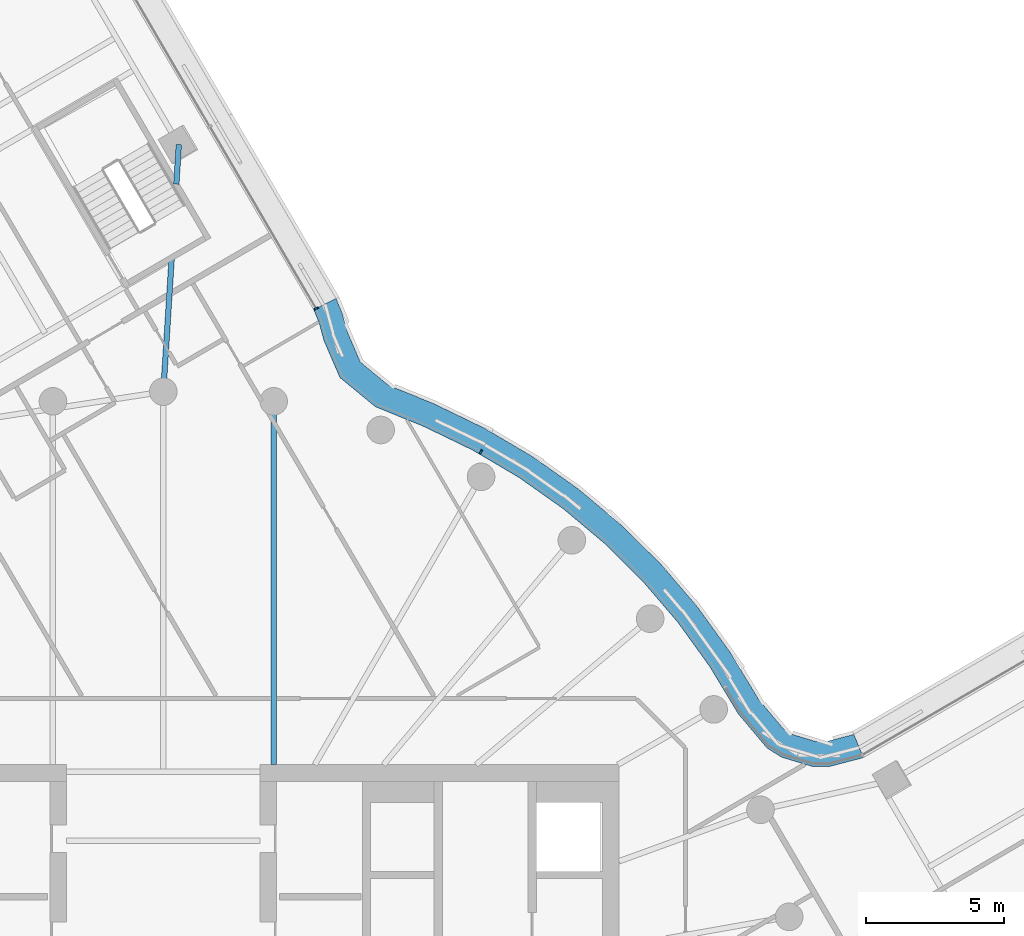
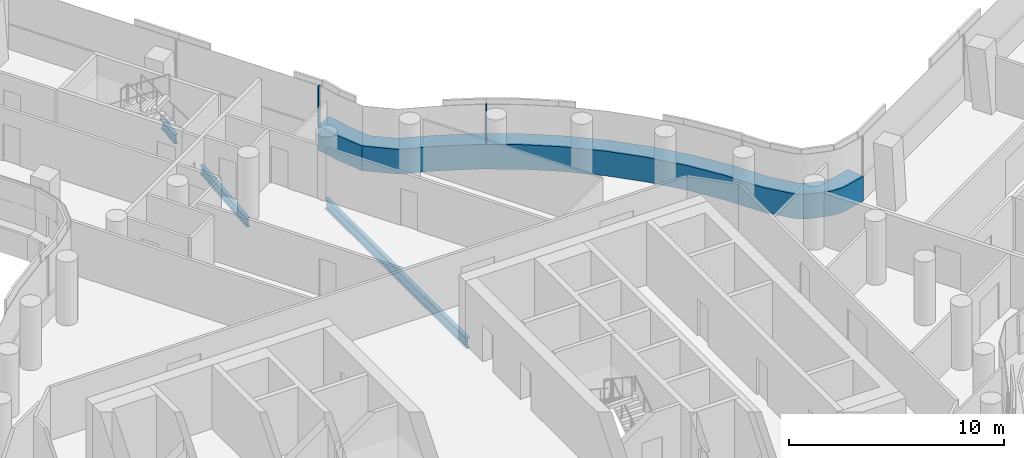
# One storey, part 15 of 35: 3 beams, 3 members, 2 elements without a shape of their own.
"""IFC4 building model written with IfcOpenShell, lengths in metres."""

from ifc_helpers import new_model, si_unit, direction, frame, origin, origin_2d, place, context, subcontext, project, spatial, polyline, rectangle, i_section, outline, extrude, material, layer, layer_set, material_profile, profile_set, type_object, element, aggregate, save


model = new_model("IFC4")

# Units and contexts
model_context = context("Model", 3, precision=1e-05, world=origin(), true_north=direction((0.0, 1.0)))
body_context = subcontext(model_context, "Body", "Model", "MODEL_VIEW")
ifc_project = project(units=[si_unit("LENGTHUNIT", "METRE"), si_unit("AREAUNIT", "SQUARE_METRE"), si_unit("VOLUMEUNIT", "CUBIC_METRE"), si_unit("PLANEANGLEUNIT", "RADIAN"), si_unit("MASSUNIT", "GRAM", prefix="KILO")], contexts=[model_context])

# Site, building, storey
site_placement = place(None, origin())
site = spatial("IfcSite", under=ifc_project, at=site_placement, CompositionType="ELEMENT")
building_placement = place(site_placement, origin())
building = spatial("IfcBuilding", under=site, at=building_placement, Name="Tamarind Cross Interchange Tower", CompositionType="ELEMENT")
storey_placement = place(building_placement, frame((0.0, 0.0, 144.25)))
storey = spatial("IfcBuildingStorey", under=building, at=storey_placement, Name="L35", CompositionType="ELEMENT", Elevation=144.25)

# Beams
ifc_material_1 = material(Name="Steel Q355B", Category="steel")
ifc_material_profile_1 = material_profile(ifc_material_1, i_section(OverallWidth=0.198974609375, OverallDepth=0.49609375, WebThickness=0.009033203125, FlangeThickness=0.013916015625, FilletRadius=0.012939453125, at=origin_2d()), Name="HN 496x199x9x14")
ifc_profile_set_1 = profile_set([ifc_material_profile_1], Name="Steel Q355B")
beam_type_1 = type_object("IfcBeamType", Name="Composite beam HN 496x199x9x14 Q355B", PredefinedType="BEAM", material=ifc_profile_set_1)
beam_1_placement = place(storey_placement, frame((0.561279296875, 31.941162109375, -0.387939453125), z_axis=(-0.062621949469, -0.998037319665, 0.0), x_axis=(0.998037319665, -0.062621949469, 0.0)))
element("IfcBeam", 1, at=beam_1_placement, inside=storey, type_object=beam_type_1, Name="Beam N-linkemt0", PredefinedType="BEAM", context=body_context, shape_type="SweptSolid", body=[
    extrude(i_section(OverallWidth=0.198974609375, OverallDepth=0.49609375, WebThickness=0.009033203125, FlangeThickness=0.013916015625, FilletRadius=0.012939453125, at=origin_2d()), origin(), (0.0, 0.0, 1.0), 1.434814453125),
])
beam_2_placement = place(storey_placement, frame((0.3046875, 27.853271484375, -0.387939453125), z_axis=(-0.062656465185, -0.998035153374, 0.0), x_axis=(0.998035153374, -0.062656465185, 0.0)))
element("IfcBeam", 2, at=beam_2_placement, inside=storey, type_object=beam_type_1, Name="Beam N-linkemt1", PredefinedType="BEAM", context=body_context, shape_type="SweptSolid", body=[
    extrude(i_section(OverallWidth=0.198974609375, OverallDepth=0.49609375, WebThickness=0.009033203125, FlangeThickness=0.013916015625, FilletRadius=0.012939453125, at=origin_2d()), origin(), (0.0, 0.0, 1.0), 4.86279296875),
])
ifc_material_profile_2 = material_profile(ifc_material_1, i_section(OverallWidth=0.198974609375, OverallDepth=0.595947265625, WebThickness=0.010009765625, FlangeThickness=0.014892578125, FilletRadius=0.012939453125, at=origin_2d()), Name="HN 596x199x10x15")
ifc_profile_set_2 = profile_set([ifc_material_profile_2], Name="Steel Q355B")
beam_type_2 = type_object("IfcBeamType", Name="Composite beam HN 596x199x10x15 Q355B", PredefinedType="BEAM", material=ifc_profile_set_2)
beam_3_placement = place(storey_placement, frame((3.993896484375, 22.650634765625, -0.43798828125), z_axis=(0.0, -1.0, 0.0), x_axis=(1.0, 0.0, 0.0)))
element("IfcBeam", 3, at=beam_3_placement, inside=storey, type_object=beam_type_2, Name="Beam HH08", PredefinedType="BEAM", context=body_context, shape_type="SweptSolid", body=[
    extrude(i_section(OverallWidth=0.198974609375, OverallDepth=0.595947265625, WebThickness=0.010009765625, FlangeThickness=0.014892578125, FilletRadius=0.012939453125, at=origin_2d()), origin(), (0.0, 0.0, 1.0), 13.150634765625),
])

# Curtain wall, members
ifc_material_2 = material(Name="Aluminium 6063-T6", Category="aluminium")
ifc_layer = layer(ifc_material_2, 0.159912109375)
ifc_layer_set = layer_set([ifc_layer], Name="Aluminium 6063-T6")
curtain_wall_type = type_object("IfcCurtainWallType", Name="Office curtain wall, 9.0 m bays", PredefinedType="NOTDEFINED", material=ifc_layer_set)
curtain_wall_1_placement = place(storey_placement, origin())
curtain_wall_1 = element("IfcCurtainWall", 4, at=curtain_wall_1_placement, inside=storey, type_object=curtain_wall_type, Name="CWS-L35-10", PredefinedType="NOTDEFINED")
ifc_material_3 = material(Name="Aluminium and insulated spandrel panel", Category="aluminium")
member_type_1 = type_object("IfcMemberType", Name="Floor-edge blade transom", PredefinedType="USERDEFINED", material=ifc_material_3)
member_1_placement = place(storey_placement, origin())
member_1 = element("IfcMember", 5, at=member_1_placement, type_object=member_type_1, Name="CWT-L35-10", ObjectType="TRANSOM", PredefinedType="USERDEFINED", context=body_context, shape_type="SweptSolid", body=[
    extrude(outline(polyline([(25.33837890625, 9.75390625), (24.08642578125, 9.427978515625), (23.47265625, 9.43994140625), (22.36669921875, 9.7744140625), (21.84521484375, 10.10693359375), (20.802734375, 11.34814453125), (19.78125, 13.045654296875), (18.636474609375, 14.634521484375), (17.3642578125, 16.12353515625), (15.973388671875, 17.50244140625), (14.4736328125, 18.76171875), (12.874755859375, 19.892822265625), (11.188232421875, 20.88818359375), (9.42236328125, 21.741943359375), (7.671142578125, 22.457275390625), (6.39111328125, 23.510498046875), (5.81298828125, 24.8505859375), (5.6298828125, 25.5205078125), (5.44287109375, 25.965576171875), (6.24951171875, 26.36865234375), (6.482421875, 25.81494140625), (6.66455078125, 25.14892578125), (7.131103515625, 24.06689453125), (8.1376953125, 23.23876953125), (9.78857421875, 22.564453125), (11.613525390625, 21.68212890625), (13.3642578125, 20.64892578125), (15.023681640625, 19.474853515625), (16.580810546875, 18.167724609375), (18.0244140625, 16.736572265625), (19.344970703125, 15.19091796875), (20.533203125, 13.54150390625), (21.537353515625, 11.872802734375), (22.445556640625, 10.79150390625), (22.74609375, 10.599853515625), (23.6142578125, 10.33740234375), (23.97998046875, 10.330322265625), (24.992431640625, 10.59375), (25.33837890625, 9.75390625)])), origin(), (0.0, 0.0, 1.0), 1.39990234375),
])
ifc_material_profile_3 = material_profile(ifc_material_2, rectangle(XDim=0.06005859375, YDim=0.159912109375, at=origin_2d()), Name="Mullion CW1")
ifc_profile_set_3 = profile_set([ifc_material_profile_3], Name="Aluminium 6063-T6")
member_type_2 = type_object("IfcMemberType", Name="Mullion CW1", PredefinedType="MULLION", material=ifc_profile_set_3)
member_2_placement = place(storey_placement, frame((11.493408203125, 20.823974609375, 1.39990234375), z_axis=(0.0, 0.0, 1.0), x_axis=(-0.861248933065, 0.508183308752, 0.0)))
member_2 = element("IfcMember", 6, at=member_2_placement, type_object=member_type_2, Name="CWM-L35-10-02", PredefinedType="MULLION", context=body_context, shape_type="SweptSolid", body=[
    extrude(rectangle(XDim=0.06005859375, YDim=0.159912109375, at=origin_2d()), origin(), (0.0, 0.0, 1.0), 2.210205078125),
])
aggregate(curtain_wall_1, [member_2, member_1])

# Curtain wall, member
curtain_wall_2_placement = place(storey_placement, origin())
curtain_wall_2 = element("IfcCurtainWall", 7, at=curtain_wall_2_placement, inside=storey, type_object=curtain_wall_type, Name="CWS-L35-11", PredefinedType="NOTDEFINED")
member_3_placement = place(storey_placement, frame((5.532470703125, 26.01025390625, 1.39990234375), z_axis=(0.0, 0.0, 1.0), x_axis=(-0.446966130428, 0.89455088075, 0.0)))
member_3 = element("IfcMember", 8, at=member_3_placement, type_object=member_type_2, Name="CWM-L35-11-00", PredefinedType="MULLION", context=body_context, shape_type="SweptSolid", body=[
    extrude(rectangle(XDim=0.06005859375, YDim=0.159912109375, at=origin_2d()), origin(), (0.0, 0.0, 1.0), 2.210205078125),
])
aggregate(curtain_wall_2, [member_3])

save(model, "model.ifc")
